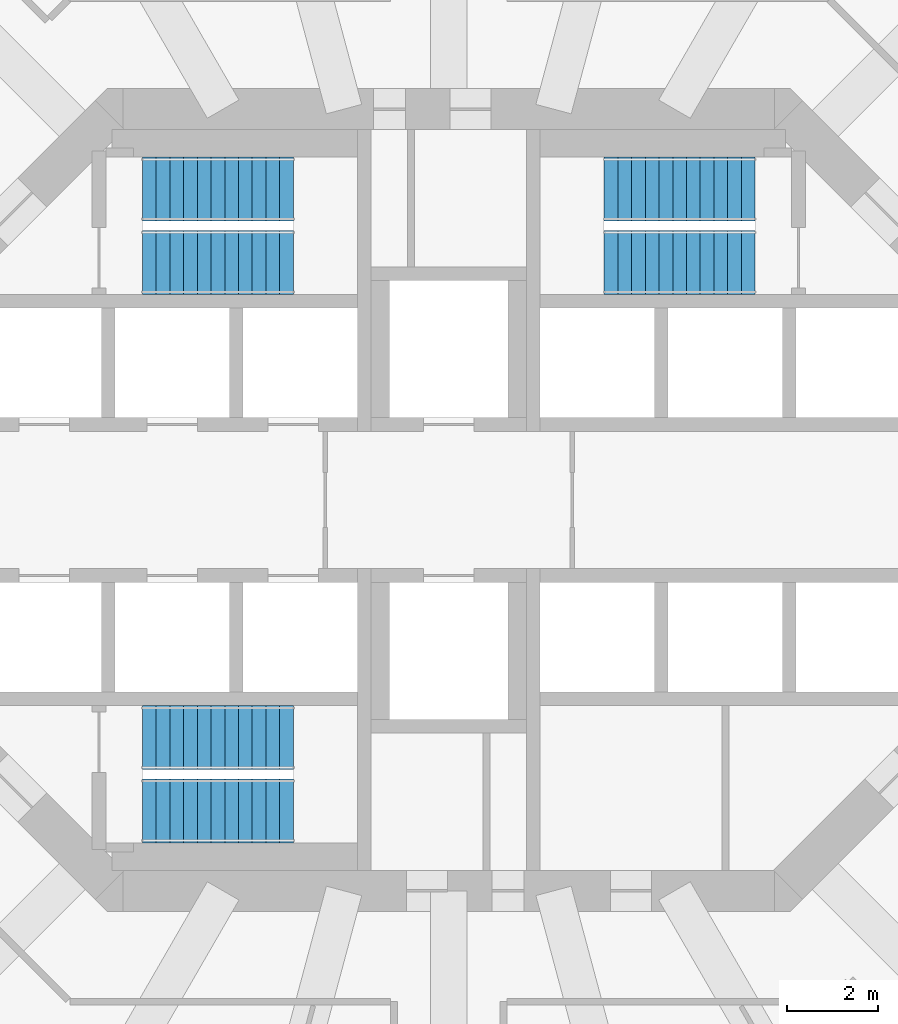
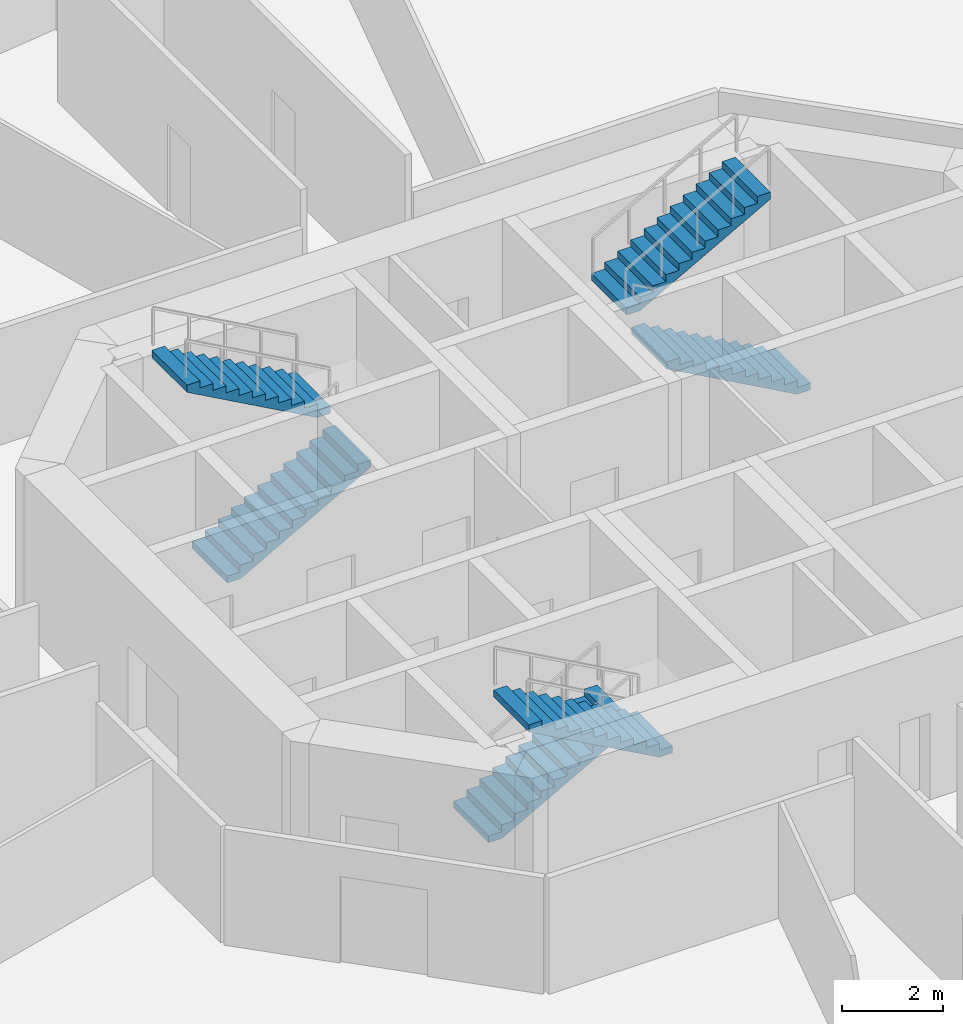
# One storey, part 7 of 9: 6 stair flights, 3 elements without a shape of their own.
"""IFC4 building model written with IfcOpenShell, lengths in metres."""

from ifc_helpers import new_model, si_unit, direction, frame, origin, place, context, subcontext, project, spatial, polyline, outline, extrude, material, type_object, element, aggregate, save


model = new_model("IFC4")

# Units and contexts
model_context = context("Model", 3, precision=1e-05, world=origin(), true_north=direction((0.0, 1.0)))
body_context = subcontext(model_context, "Body", "Model", "MODEL_VIEW")
ifc_project = project(units=[si_unit("LENGTHUNIT", "METRE"), si_unit("AREAUNIT", "SQUARE_METRE"), si_unit("VOLUMEUNIT", "CUBIC_METRE"), si_unit("PLANEANGLEUNIT", "RADIAN"), si_unit("MASSUNIT", "GRAM", prefix="KILO")], contexts=[model_context])

# Site, building, storey
site_placement = place(None, origin())
site = spatial("IfcSite", under=ifc_project, at=site_placement, CompositionType="ELEMENT")
building_placement = place(site_placement, origin())
building = spatial("IfcBuilding", under=site, at=building_placement, Name="Torre Triforio", CompositionType="ELEMENT")
storey_placement = place(building_placement, frame((0.0, 0.0, 35.0)))
storey = spatial("IfcBuildingStorey", under=building, at=storey_placement, Name="L06", CompositionType="ELEMENT", Elevation=35.0)

# Stair, stair flights
ifc_material = material(Name="Concrete C40", Category="concrete")
stair_type = type_object("IfcStairType", Name="STAIR HALF-TURN", PredefinedType="HALF_TURN_STAIR", material=ifc_material)
stair_1_placement = place(storey_placement, origin())
stair_1 = element("IfcStair", 1, at=stair_1_placement, inside=storey, type_object=stair_type, Name="Exit stair 1", PredefinedType="HALF_TURN_STAIR")
stair_flight_type = type_object("IfcStairFlightType", Name="STAIR FLIGHT 1400", PredefinedType="STRAIGHT", material=ifc_material)
stair_flight_1_placement = place(storey_placement, frame((-6.699951171875, 5.199951171875, 0.0), z_axis=(0.0, 0.0, 1.0), x_axis=(1.0, 0.0, 0.0)))
stair_flight_1 = element("IfcStairFlight", 2, at=stair_flight_1_placement, type_object=stair_flight_type, Name="ST1 flight 1", NumberOfRisers=12, NumberOfTreads=11, PredefinedType="STRAIGHT", RiserHeight=0.166666667, TreadLength=0.3, context=body_context, shape_type="SweptSolid", body=[
    extrude(outline(polyline([(0.0, 0.0), (0.0, 0.166748046875), (0.300048828125, 0.166748046875), (0.300048828125, 0.333251953125), (0.60009765625, 0.333251953125), (0.60009765625, 0.5), (0.89990234375, 0.5), (0.89990234375, 0.666748046875), (1.199951171875, 0.666748046875), (1.199951171875, 0.833251953125), (1.5, 0.833251953125), (1.5, 1.0), (1.800048828125, 1.0), (1.800048828125, 1.166748046875), (2.10009765625, 1.166748046875), (2.10009765625, 1.333251953125), (2.39990234375, 1.333251953125), (2.39990234375, 1.5), (2.699951171875, 1.5), (2.699951171875, 1.666748046875), (3.0, 1.666748046875), (3.0, 1.833251953125), (3.300048828125, 1.833251953125), (3.300048828125, 2.0), (3.300048828125, 1.661865234375), (0.30859375, 0.0), (0.0, 0.0)])), frame((0.0, 0.699951171875, 0.0), z_axis=(0.0, -1.0, 0.0), x_axis=(1.0, 0.0, 0.0)), (0.0, 0.0, 1.0), 1.39990234375),
])
stair_flight_2_placement = place(storey_placement, frame((-3.39990234375, 6.800048828125, 2.0), z_axis=(0.0, 0.0, 1.0), x_axis=(-1.0, 0.0, 0.0)))
stair_flight_2 = element("IfcStairFlight", 3, at=stair_flight_2_placement, type_object=stair_flight_type, Name="ST1 flight 2", NumberOfRisers=12, NumberOfTreads=11, PredefinedType="STRAIGHT", RiserHeight=0.166666667, TreadLength=0.3, context=body_context, shape_type="SweptSolid", body=[
    extrude(outline(polyline([(0.0, 0.0), (0.0, 0.166748046875), (0.300048828125, 0.166748046875), (0.300048828125, 0.333251953125), (0.60009765625, 0.333251953125), (0.60009765625, 0.5), (0.89990234375, 0.5), (0.89990234375, 0.666748046875), (1.199951171875, 0.666748046875), (1.199951171875, 0.833251953125), (1.5, 0.833251953125), (1.5, 1.0), (1.800048828125, 1.0), (1.800048828125, 1.166748046875), (2.10009765625, 1.166748046875), (2.10009765625, 1.333251953125), (2.39990234375, 1.333251953125), (2.39990234375, 1.5), (2.699951171875, 1.5), (2.699951171875, 1.666748046875), (3.0, 1.666748046875), (3.0, 1.833251953125), (3.300048828125, 1.833251953125), (3.300048828125, 2.0), (3.300048828125, 1.661865234375), (0.30859375, 0.0), (0.0, 0.0)])), frame((0.0, 0.699951171875, 0.0), z_axis=(0.0, -1.0, 0.0), x_axis=(1.0, 0.0, 0.0)), (0.0, 0.0, 1.0), 1.39990234375),
])
aggregate(stair_1, [stair_flight_1, stair_flight_2])

stair_2_placement = place(storey_placement, origin())
stair_2 = element("IfcStair", 4, at=stair_2_placement, inside=storey, type_object=stair_type, Name="Exit stair 2", PredefinedType="HALF_TURN_STAIR")
stair_flight_3_placement = place(storey_placement, frame((6.699951171875, 5.199951171875, 0.0), z_axis=(0.0, 0.0, 1.0), x_axis=(-1.0, 0.0, 0.0)))
stair_flight_3 = element("IfcStairFlight", 5, at=stair_flight_3_placement, type_object=stair_flight_type, Name="ST2 flight 1", NumberOfRisers=12, NumberOfTreads=11, PredefinedType="STRAIGHT", RiserHeight=0.166666667, TreadLength=0.3, context=body_context, shape_type="SweptSolid", body=[
    extrude(outline(polyline([(0.0, 0.0), (0.0, 0.166748046875), (0.300048828125, 0.166748046875), (0.300048828125, 0.333251953125), (0.60009765625, 0.333251953125), (0.60009765625, 0.5), (0.89990234375, 0.5), (0.89990234375, 0.666748046875), (1.199951171875, 0.666748046875), (1.199951171875, 0.833251953125), (1.5, 0.833251953125), (1.5, 1.0), (1.800048828125, 1.0), (1.800048828125, 1.166748046875), (2.10009765625, 1.166748046875), (2.10009765625, 1.333251953125), (2.39990234375, 1.333251953125), (2.39990234375, 1.5), (2.699951171875, 1.5), (2.699951171875, 1.666748046875), (3.0, 1.666748046875), (3.0, 1.833251953125), (3.300048828125, 1.833251953125), (3.300048828125, 2.0), (3.300048828125, 1.661865234375), (0.30859375, 0.0), (0.0, 0.0)])), frame((0.0, 0.699951171875, 0.0), z_axis=(0.0, -1.0, 0.0), x_axis=(1.0, 0.0, 0.0)), (0.0, 0.0, 1.0), 1.39990234375),
])
stair_flight_4_placement = place(storey_placement, frame((3.39990234375, 6.800048828125, 2.0), z_axis=(0.0, 0.0, 1.0), x_axis=(1.0, 0.0, 0.0)))
stair_flight_4 = element("IfcStairFlight", 6, at=stair_flight_4_placement, type_object=stair_flight_type, Name="ST2 flight 2", NumberOfRisers=12, NumberOfTreads=11, PredefinedType="STRAIGHT", RiserHeight=0.166666667, TreadLength=0.3, context=body_context, shape_type="SweptSolid", body=[
    extrude(outline(polyline([(0.0, 0.0), (0.0, 0.166748046875), (0.300048828125, 0.166748046875), (0.300048828125, 0.333251953125), (0.60009765625, 0.333251953125), (0.60009765625, 0.5), (0.89990234375, 0.5), (0.89990234375, 0.666748046875), (1.199951171875, 0.666748046875), (1.199951171875, 0.833251953125), (1.5, 0.833251953125), (1.5, 1.0), (1.800048828125, 1.0), (1.800048828125, 1.166748046875), (2.10009765625, 1.166748046875), (2.10009765625, 1.333251953125), (2.39990234375, 1.333251953125), (2.39990234375, 1.5), (2.699951171875, 1.5), (2.699951171875, 1.666748046875), (3.0, 1.666748046875), (3.0, 1.833251953125), (3.300048828125, 1.833251953125), (3.300048828125, 2.0), (3.300048828125, 1.661865234375), (0.30859375, 0.0), (0.0, 0.0)])), frame((0.0, 0.699951171875, 0.0), z_axis=(0.0, -1.0, 0.0), x_axis=(1.0, 0.0, 0.0)), (0.0, 0.0, 1.0), 1.39990234375),
])
aggregate(stair_2, [stair_flight_3, stair_flight_4])

stair_3_placement = place(storey_placement, origin())
stair_3 = element("IfcStair", 7, at=stair_3_placement, inside=storey, type_object=stair_type, Name="Exit stair 3", PredefinedType="HALF_TURN_STAIR")
stair_flight_5_placement = place(storey_placement, frame((-6.699951171875, -5.199951171875, 0.0), z_axis=(0.0, 0.0, 1.0), x_axis=(1.0, 0.0, 0.0)))
stair_flight_5 = element("IfcStairFlight", 8, at=stair_flight_5_placement, type_object=stair_flight_type, Name="ST3 flight 1", NumberOfRisers=12, NumberOfTreads=11, PredefinedType="STRAIGHT", RiserHeight=0.166666667, TreadLength=0.3, context=body_context, shape_type="SweptSolid", body=[
    extrude(outline(polyline([(0.0, 0.0), (0.0, 0.166748046875), (0.300048828125, 0.166748046875), (0.300048828125, 0.333251953125), (0.60009765625, 0.333251953125), (0.60009765625, 0.5), (0.89990234375, 0.5), (0.89990234375, 0.666748046875), (1.199951171875, 0.666748046875), (1.199951171875, 0.833251953125), (1.5, 0.833251953125), (1.5, 1.0), (1.800048828125, 1.0), (1.800048828125, 1.166748046875), (2.10009765625, 1.166748046875), (2.10009765625, 1.333251953125), (2.39990234375, 1.333251953125), (2.39990234375, 1.5), (2.699951171875, 1.5), (2.699951171875, 1.666748046875), (3.0, 1.666748046875), (3.0, 1.833251953125), (3.300048828125, 1.833251953125), (3.300048828125, 2.0), (3.300048828125, 1.661865234375), (0.30859375, 0.0), (0.0, 0.0)])), frame((0.0, 0.699951171875, 0.0), z_axis=(0.0, -1.0, 0.0), x_axis=(1.0, 0.0, 0.0)), (0.0, 0.0, 1.0), 1.39990234375),
])
stair_flight_6_placement = place(storey_placement, frame((-3.39990234375, -6.800048828125, 2.0), z_axis=(0.0, 0.0, 1.0), x_axis=(-1.0, 0.0, 0.0)))
stair_flight_6 = element("IfcStairFlight", 9, at=stair_flight_6_placement, type_object=stair_flight_type, Name="ST3 flight 2", NumberOfRisers=12, NumberOfTreads=11, PredefinedType="STRAIGHT", RiserHeight=0.166666667, TreadLength=0.3, context=body_context, shape_type="SweptSolid", body=[
    extrude(outline(polyline([(0.0, 0.0), (0.0, 0.166748046875), (0.300048828125, 0.166748046875), (0.300048828125, 0.333251953125), (0.60009765625, 0.333251953125), (0.60009765625, 0.5), (0.89990234375, 0.5), (0.89990234375, 0.666748046875), (1.199951171875, 0.666748046875), (1.199951171875, 0.833251953125), (1.5, 0.833251953125), (1.5, 1.0), (1.800048828125, 1.0), (1.800048828125, 1.166748046875), (2.10009765625, 1.166748046875), (2.10009765625, 1.333251953125), (2.39990234375, 1.333251953125), (2.39990234375, 1.5), (2.699951171875, 1.5), (2.699951171875, 1.666748046875), (3.0, 1.666748046875), (3.0, 1.833251953125), (3.300048828125, 1.833251953125), (3.300048828125, 2.0), (3.300048828125, 1.661865234375), (0.30859375, 0.0), (0.0, 0.0)])), frame((0.0, 0.699951171875, 0.0), z_axis=(0.0, -1.0, 0.0), x_axis=(1.0, 0.0, 0.0)), (0.0, 0.0, 1.0), 1.39990234375),
])
aggregate(stair_3, [stair_flight_5, stair_flight_6])

save(model, "model.ifc")
